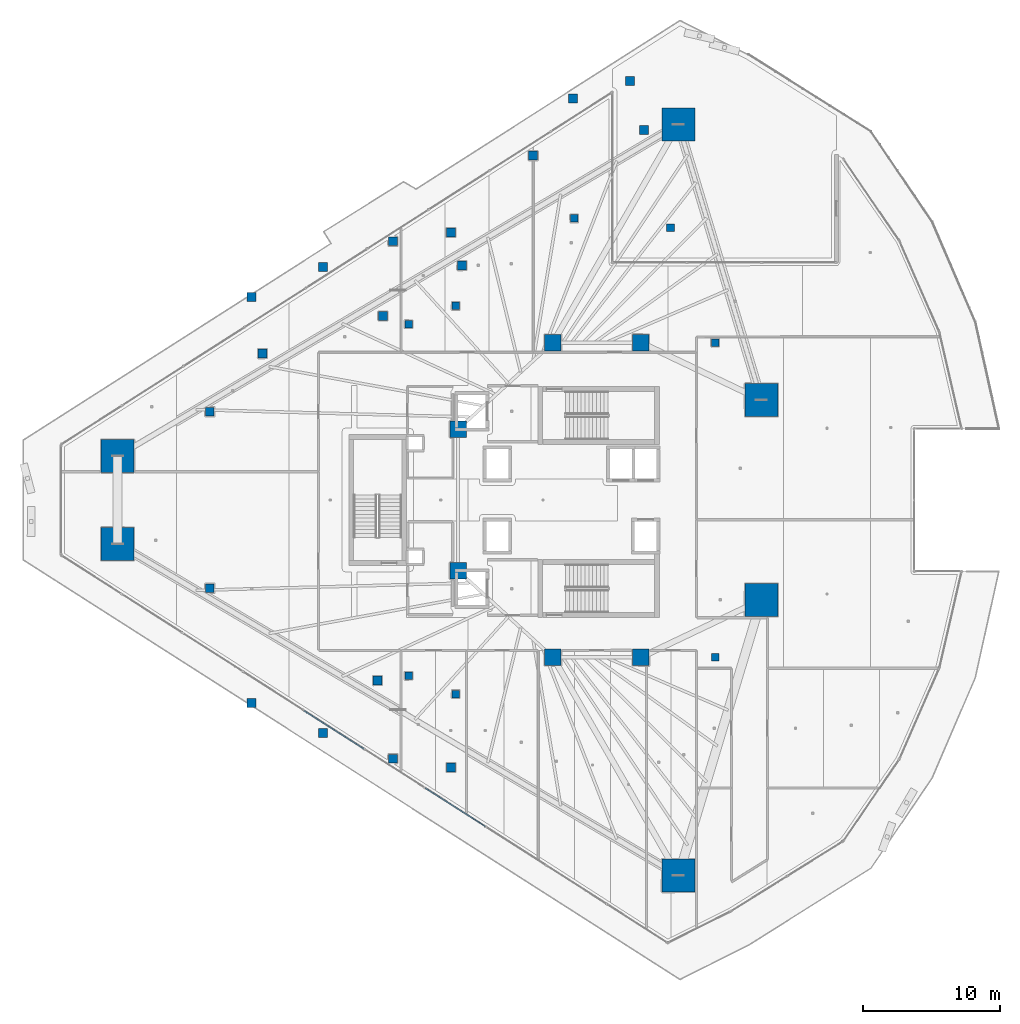
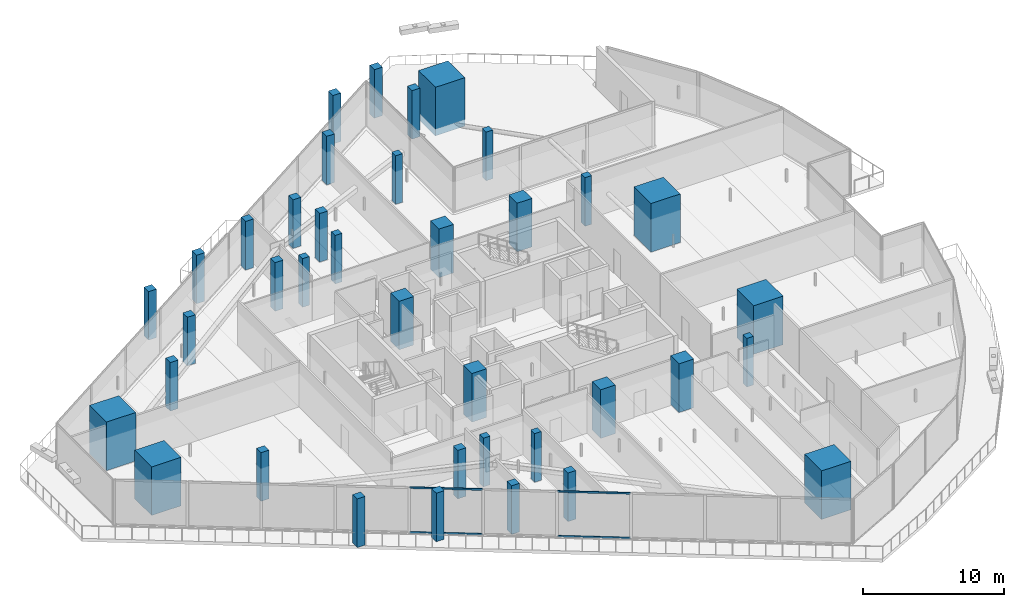
# One storey, part 1 of 47: 38 columns, 4 members, 1 element without a shape of its own.
"""IFC4 building model written with IfcOpenShell, lengths in metres."""

from ifc_helpers import new_model, si_unit, direction, frame, origin, origin_2d, place, context, subcontext, project, spatial, rectangle, hollow_rectangle, extrude, material, layer, layer_set, material_profile, profile_set, type_object, element, aggregate, save


model = new_model("IFC4")

# Units and contexts
model_context = context("Model", 3, precision=1e-05, world=origin(), true_north=direction((0.0, 1.0)))
body_context = subcontext(model_context, "Body", "Model", "MODEL_VIEW")
ifc_project = project(units=[si_unit("LENGTHUNIT", "METRE"), si_unit("AREAUNIT", "SQUARE_METRE"), si_unit("VOLUMEUNIT", "CUBIC_METRE"), si_unit("PLANEANGLEUNIT", "RADIAN"), si_unit("MASSUNIT", "GRAM", prefix="KILO")], contexts=[model_context])

# Site, building, storey
site_placement = place(None, origin())
site = spatial("IfcSite", under=ifc_project, at=site_placement, CompositionType="ELEMENT")
building_placement = place(site_placement, origin())
building = spatial("IfcBuilding", under=site, at=building_placement, Name="Qorvath Tower", CompositionType="ELEMENT")
storey_placement = place(building_placement, frame((0.0, 0.0, 74.39990234375)))
storey = spatial("IfcBuildingStorey", under=building, at=storey_placement, Name="L16", CompositionType="ELEMENT", Elevation=74.39990234375)

# Columns
ifc_material_1 = material(Name="Concrete C70/85", Category="concrete")
ifc_material_profile_1 = material_profile(ifc_material_1, rectangle(XDim=2.39990234375, YDim=2.39990234375, at=origin_2d()), Name="MC 2400x2400")
ifc_profile_set_1 = profile_set([ifc_material_profile_1], Name="Concrete C70/85")
column_type_1 = type_object("IfcColumnType", Name="COL-MC1", PredefinedType="COLUMN", material=ifc_profile_set_1)
for number, where, z_axis, x_axis, name in (
    (1, (-55.282958984375, 3.194580078125, 0.0), (0.0, 0.0, 1.0), (1.0, 0.0, 0.0), "Composite Mega-Column MC1 L16"),
    (2, (-55.282958984375, -3.194580078125, 0.0), (0.0, 0.0, 1.0), (1.0, 0.0, 0.0), "Composite Mega-Column MC2 L16"),
    (3, (-14.46435546875, -27.330810546875, 0.0), (0.0, 0.0, 1.0), (1.0, 0.0, 0.0), "Composite Mega-Column MC3 L16"),
    (4, (-8.430419921875, -7.2763671875, 0.0), (0.0, 0.0, 1.0), (1.0, 0.0, 0.0), "Composite Mega-Column MC4 L16"),
    (5, (-8.430419921875, 7.2763671875, 0.0), (0.0, 0.0, 1.0), (1.0, 0.0, 0.0), "Composite Mega-Column MC5 L16"),
    (6, (-14.46435546875, 27.330810546875, 0.0), (0.0, 0.0, 1.0), (1.0, 0.0, 0.0), "Composite Mega-Column MC6 L16"),
):
    element("IfcColumn", number, at=place(storey_placement, frame(where, z_axis=z_axis, x_axis=x_axis)), inside=storey, type_object=column_type_1, Name=name, PredefinedType="COLUMN", context=body_context, shape_type="SweptSolid", body=[
        extrude(rectangle(XDim=2.39990234375, YDim=2.39990234375, at=origin_2d()), origin(), (0.0, 0.0, 1.0), 4.2001953125),
    ])
ifc_material_2 = material(Name="Concrete C60/75", Category="concrete")
ifc_material_profile_2 = material_profile(ifc_material_2, rectangle(XDim=1.199951171875, YDim=1.199951171875, at=origin_2d()), Name="RC 1200x1200")
ifc_profile_set_2 = profile_set([ifc_material_profile_2], Name="Concrete C60/75")
column_type_2 = type_object("IfcColumnType", Name="COL-RC1", PredefinedType="COLUMN", material=ifc_profile_set_2)
for number, where, z_axis, x_axis, name in (
    (7, (-23.60009765625, 11.449951171875, 0.0), (0.0, 0.0, 1.0), (1.0, 0.0, 0.0), "Core Spine Column CC1 L16"),
    (8, (-17.199951171875, 11.449951171875, 0.0), (0.0, 0.0, 1.0), (1.0, 0.0, 0.0), "Core Spine Column CC2 L16"),
    (9, (-17.199951171875, -11.449951171875, 0.0), (0.0, 0.0, 1.0), (1.0, 0.0, 0.0), "Core Spine Column CC3 L16"),
    (10, (-23.60009765625, -11.449951171875, 0.0), (0.0, 0.0, 1.0), (1.0, 0.0, 0.0), "Core Spine Column CC4 L16"),
    (11, (-30.5, 5.14990234375, 0.0), (0.0, 0.0, 1.0), (1.0, 0.0, 0.0), "Core Spine Column CC5 L16"),
    (12, (-30.5, -5.14990234375, 0.0), (0.0, 0.0, 1.0), (1.0, 0.0, 0.0), "Core Spine Column CC6 L16"),
):
    element("IfcColumn", number, at=place(storey_placement, frame(where, z_axis=z_axis, x_axis=x_axis)), inside=storey, type_object=column_type_2, Name=name, PredefinedType="COLUMN", context=body_context, shape_type="SweptSolid", body=[
        extrude(rectangle(XDim=1.199951171875, YDim=1.199951171875, at=origin_2d()), origin(), (0.0, 0.0, 1.0), 4.2001953125),
    ])
ifc_material_3 = material(Name="Concrete C45/55", Category="concrete")
ifc_material_profile_3 = material_profile(ifc_material_3, rectangle(XDim=0.64990234375, YDim=0.64990234375, at=origin_2d()), Name="RC 650x650")
ifc_profile_set_3 = profile_set([ifc_material_profile_3], Name="Concrete C45/55")
column_type_3 = type_object("IfcColumnType", Name="COL-RC6", PredefinedType="COLUMN", material=ifc_profile_set_3)
for number, where, z_axis, x_axis, name in (
    (13, (-45.536376953125, 14.774658203125, 0.0), (0.0, 0.0, 1.0), (1.0, 0.0, 0.0), "Loggia Frame Pier Column LGA1 L16"),
    (14, (-45.536376953125, -14.774658203125, 0.0), (0.0, 0.0, 1.0), (1.0, 0.0, 0.0), "Loggia Frame Pier Column LGA2 L16"),
    (15, (-22.13134765625, 29.20556640625, 0.0), (0.0, 0.0, 1.0), (1.0, 0.0, 0.0), "Loggia Frame Pier Column LGA3 L16"),
    (16, (-40.33251953125, 16.955810546875, 0.0), (0.0, 0.0, 1.0), (1.0, 0.0, 0.0), "Loggia Frame Pier Column LGB1 L16"),
    (17, (-40.33251953125, -16.955810546875, 0.0), (0.0, 0.0, 1.0), (1.0, 0.0, 0.0), "Loggia Frame Pier Column LGB2 L16"),
    (18, (-18.0, 30.5, 0.0), (0.0, 0.0, 1.0), (1.0, 0.0, 0.0), "Loggia Frame Pier Column LGB3 L16"),
    (19, (-35.251708984375, 18.829345703125, 0.0), (0.0, 0.0, 1.0), (1.0, 0.0, 0.0), "Loggia Frame Pier Column LGC1 L16"),
    (20, (-35.251708984375, -18.829345703125, 0.0), (0.0, 0.0, 1.0), (1.0, 0.0, 0.0), "Loggia Frame Pier Column LGC2 L16"),
    (21, (-25.03759765625, 25.058837890625, 0.0), (0.0, 0.0, 1.0), (1.0, 0.0, 0.0), "Loggia Frame Pier Column LGC3 L16"),
    (22, (-31.01611328125, 19.46044921875, 0.0), (0.0, 0.0, 1.0), (1.0, 0.0, 0.0), "Loggia Frame Pier Column LGD1 L16"),
    (23, (-31.01611328125, -19.46044921875, 0.0), (0.0, 0.0, 1.0), (1.0, 0.0, 0.0), "Loggia Frame Pier Column LGD2 L16"),
    (24, (-44.736328125, 10.65234375, 0.0), (0.0, 0.0, 1.0), (1.0, 0.0, 0.0), "Loggia Frame Pier Column LGD3 L16"),
    (25, (-48.578369140625, 6.424560546875, 0.0), (0.0, 0.0, 1.0), (1.0, 0.0, 0.0), "Loggia Frame Pier Column LGE1 L16"),
    (26, (-48.578369140625, -6.424560546875, 0.0), (0.0, 0.0, 1.0), (1.0, 0.0, 0.0), "Loggia Frame Pier Column LGE2 L16"),
    (27, (-16.981201171875, 26.92919921875, 0.0), (0.0, 0.0, 1.0), (1.0, 0.0, 0.0), "Loggia Frame Pier Column LGE3 L16"),
    (28, (-35.980712890625, 13.380859375, 0.0), (0.0, 0.0, 1.0), (1.0, 0.0, 0.0), "Loggia Frame Pier Column LGF1 L16"),
    (29, (-36.36474609375, -13.135498046875, 0.0), (0.0, 0.0, 1.0), (1.0, 0.0, 0.0), "Loggia Frame Pier Column LGF2 L16"),
    (30, (-30.224853515625, 17.0595703125, 0.0), (0.0, 0.0, 1.0), (1.0, 0.0, 0.0), "Loggia Frame Pier Column LGF3 L16"),
):
    element("IfcColumn", number, at=place(storey_placement, frame(where, z_axis=z_axis, x_axis=x_axis)), inside=storey, type_object=column_type_3, Name=name, PredefinedType="COLUMN", context=body_context, shape_type="SweptSolid", body=[
        extrude(rectangle(XDim=0.64990234375, YDim=0.64990234375, at=origin_2d()), origin(), (0.0, 0.0, 1.0), 4.2001953125),
    ])
ifc_material_4 = material(Name="Concrete C45/55", Category="concrete")
ifc_material_profile_4 = material_profile(ifc_material_4, rectangle(XDim=0.550048828125, YDim=0.550048828125, at=origin_2d()), Name="RC 550x550")
ifc_profile_set_4 = profile_set([ifc_material_profile_4], Name="Concrete C45/55")
column_type_4 = type_object("IfcColumnType", Name="COL-RC7", PredefinedType="COLUMN", material=ifc_profile_set_4)
for number, where, z_axis, x_axis, name in (
    (31, (-34.104248046875, 12.79248046875, 0.0), (0.0, 0.0, 1.0), (1.0, 0.0, 0.0), "Loggia Frame Pier Column LGG1 L16"),
    (32, (-34.104248046875, -12.79248046875, 0.0), (0.0, 0.0, 1.0), (1.0, 0.0, 0.0), "Loggia Frame Pier Column LGG2 L16"),
    (33, (-22.05322265625, 20.494873046875, 0.0), (0.0, 0.0, 1.0), (1.0, 0.0, 0.0), "Loggia Frame Pier Column LGG3 L16"),
    (34, (-30.67724609375, 14.124267578125, 0.0), (0.0, 0.0, 1.0), (1.0, 0.0, 0.0), "Loggia Frame Pier Column LGH1 L16"),
    (35, (-30.67724609375, -14.124267578125, 0.0), (0.0, 0.0, 1.0), (1.0, 0.0, 0.0), "Loggia Frame Pier Column LGH2 L16"),
    (36, (-15.046142578125, 19.818115234375, 0.0), (0.0, 0.0, 1.0), (1.0, 0.0, 0.0), "Loggia Frame Pier Column LGH3 L16"),
    (37, (-11.800048828125, -11.449951171875, 0.0), (0.0, 0.0, 1.0), (1.0, 0.0, 0.0), "Central Slot Jamb Column SC1 L16"),
    (38, (-11.800048828125, 11.449951171875, 0.0), (0.0, 0.0, 1.0), (1.0, 0.0, 0.0), "Central Slot Jamb Column SC2 L16"),
):
    element("IfcColumn", number, at=place(storey_placement, frame(where, z_axis=z_axis, x_axis=x_axis)), inside=storey, type_object=column_type_4, Name=name, PredefinedType="COLUMN", context=body_context, shape_type="SweptSolid", body=[
        extrude(rectangle(XDim=0.550048828125, YDim=0.550048828125, at=origin_2d()), origin(), (0.0, 0.0, 1.0), 4.2001953125),
    ])

# Curtain wall, members
ifc_material_5 = material(Name="Anodised aluminium and triple low-E glass", Category="aluminium")
ifc_layer = layer(ifc_material_5, 0.179931640625)
ifc_layer_set = layer_set([ifc_layer], Name="CW-SYS-5")
curtain_wall_type = type_object("IfcCurtainWallType", Name="CW-SYS-5", PredefinedType="NOTDEFINED", material=ifc_layer_set)
curtain_wall_placement = place(storey_placement, origin())
curtain_wall = element("IfcCurtainWall", 39, at=curtain_wall_placement, inside=storey, type_object=curtain_wall_type, Name="Curtain Wall CW-5 CW-T-L16-6.1", PredefinedType="NOTDEFINED")
ifc_material_6 = material(Name="Anodised aluminium 6063-T6", Category="aluminium")
ifc_material_profile_5 = material_profile(ifc_material_6, hollow_rectangle(XDim=0.06494140625, YDim=0.159912109375, WallThickness=0.00341796875, InnerFilletRadius=0.00341796875, OuterFilletRadius=0.007080078125, at=origin_2d()), Name="CWT 160x65")
ifc_profile_set_5 = profile_set([ifc_material_profile_5], Name="Anodised aluminium 6063-T6")
member_type = type_object("IfcMemberType", Name="CWT-160", PredefinedType="USERDEFINED", material=ifc_profile_set_5)
member_1_placement = place(storey_placement, frame((-41.706787109375, -15.336181640625, 0.032470703125), z_axis=(0.842608664129, -0.538526358811, 0.0), x_axis=(0.538526358811, 0.842608664129, 0.0)))
member_1 = element("IfcMember", 40, at=member_1_placement, type_object=member_type, Name="CW-5 transom 5.1", ObjectType="TRANSOM", PredefinedType="USERDEFINED", context=body_context, shape_type="SweptSolid", body=[
    extrude(hollow_rectangle(XDim=0.06494140625, YDim=0.159912109375, WallThickness=0.00341796875, InnerFilletRadius=0.00341796875, OuterFilletRadius=0.007080078125, at=origin_2d()), origin(), (0.0, 0.0, 1.0), 5.1640625),
])
member_2_placement = place(storey_placement, frame((-41.706787109375, -15.336181640625, 3.8876953125), z_axis=(0.842608664129, -0.538526358811, 0.0), x_axis=(0.538526358811, 0.842608664129, 0.0)))
member_2 = element("IfcMember", 41, at=member_2_placement, type_object=member_type, Name="CW-5 transom 5.2", ObjectType="TRANSOM", PredefinedType="USERDEFINED", context=body_context, shape_type="SweptSolid", body=[
    extrude(hollow_rectangle(XDim=0.06494140625, YDim=0.159912109375, WallThickness=0.00341796875, InnerFilletRadius=0.00341796875, OuterFilletRadius=0.007080078125, at=origin_2d()), origin(), (0.0, 0.0, 1.0), 5.1640625),
])
member_3_placement = place(storey_placement, frame((-32.8779296875, -20.978759765625, 0.032470703125), z_axis=(0.842594952628, -0.538547811996, 0.0), x_axis=(0.538547811996, 0.842594952628, 0.0)))
member_3 = element("IfcMember", 42, at=member_3_placement, type_object=member_type, Name="CW-5 transom 7.1", ObjectType="TRANSOM", PredefinedType="USERDEFINED", context=body_context, shape_type="SweptSolid", body=[
    extrude(hollow_rectangle(XDim=0.06494140625, YDim=0.159912109375, WallThickness=0.00341796875, InnerFilletRadius=0.00341796875, OuterFilletRadius=0.007080078125, at=origin_2d()), origin(), (0.0, 0.0, 1.0), 5.163818359375),
])
member_4_placement = place(storey_placement, frame((-32.8779296875, -20.978759765625, 3.8876953125), z_axis=(0.842594952628, -0.538547811996, 0.0), x_axis=(0.538547811996, 0.842594952628, 0.0)))
member_4 = element("IfcMember", 43, at=member_4_placement, type_object=member_type, Name="CW-5 transom 7.2", ObjectType="TRANSOM", PredefinedType="USERDEFINED", context=body_context, shape_type="SweptSolid", body=[
    extrude(hollow_rectangle(XDim=0.06494140625, YDim=0.159912109375, WallThickness=0.00341796875, InnerFilletRadius=0.00341796875, OuterFilletRadius=0.007080078125, at=origin_2d()), origin(), (0.0, 0.0, 1.0), 5.163818359375),
])
aggregate(curtain_wall, [member_1, member_2, member_3, member_4])

save(model, "model.ifc")
